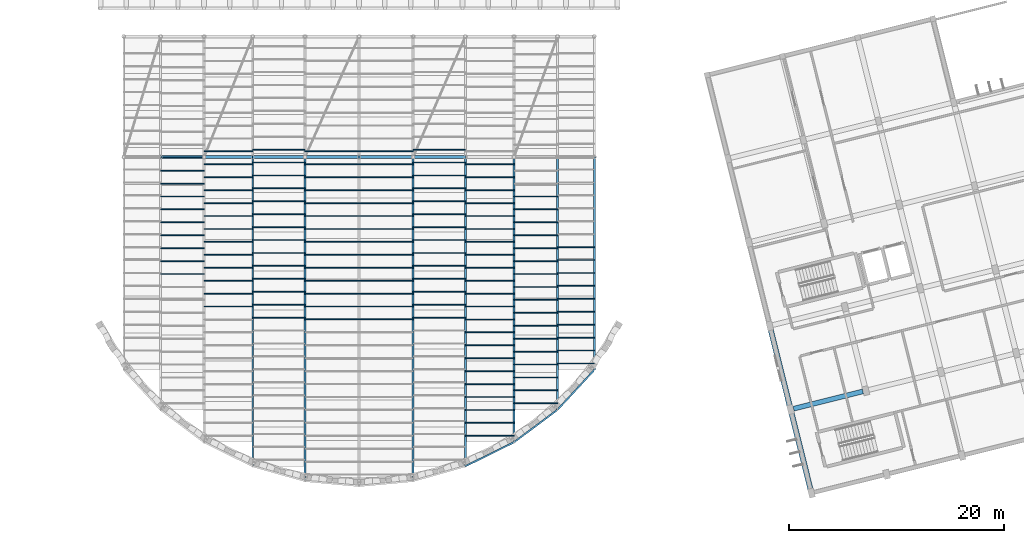
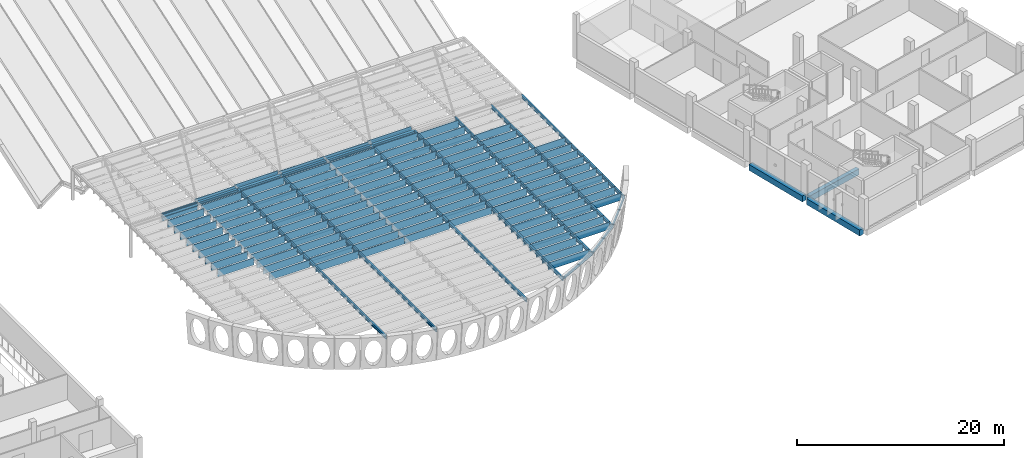
# One storey, part 14 of 47: 131 members, 16 beams.
"""IFC4 building model written with IfcOpenShell, lengths in metres."""

from ifc_helpers import new_model, si_unit, direction, frame, origin, origin_2d, place, context, subcontext, project, spatial, rectangle, hollow_rectangle, i_section, extrude, material, material_profile, profile_set, type_object, element, save


model = new_model("IFC4")

# Units and contexts
model_context = context("Model", 3, precision=1e-05, world=origin(), true_north=direction((0.0, 1.0)))
body_context = subcontext(model_context, "Body", "Model", "MODEL_VIEW")
ifc_project = project(units=[si_unit("LENGTHUNIT", "METRE"), si_unit("AREAUNIT", "SQUARE_METRE"), si_unit("VOLUMEUNIT", "CUBIC_METRE"), si_unit("PLANEANGLEUNIT", "RADIAN"), si_unit("MASSUNIT", "GRAM", prefix="KILO")], contexts=[model_context])

# Site, building, storey
site_placement = place(None, origin())
site = spatial("IfcSite", under=ifc_project, at=site_placement, CompositionType="ELEMENT")
building_placement = place(site_placement, origin())
building = spatial("IfcBuilding", under=site, at=building_placement, Name="Mawjan Specialist Oncology Clinic", CompositionType="ELEMENT")
storey_placement = place(building_placement, frame((0.0, 0.0, 9.5)))
storey = spatial("IfcBuildingStorey", under=building, at=storey_placement, Name="L02", CompositionType="ELEMENT", Elevation=9.5)

# Beam
ifc_material_1 = material(Name="Concrete C40/50", Category="concrete")
ifc_material_profile_1 = material_profile(ifc_material_1, rectangle(XDim=0.449951171875, YDim=0.699951171875, at=origin_2d()), Name="RC BM 450x700", Category="concrete")
ifc_profile_set_1 = profile_set([ifc_material_profile_1], Name="Concrete C40/50")
beam_type_1 = type_object("IfcBeamType", Name="BM-450x700", PredefinedType="BEAM", material=ifc_profile_set_1)
beam_1_placement = place(storey_placement, frame((124.341064453125, 8.63134765625, -0.64990234375), z_axis=(0.970293935913, 0.241929076241, 0.0), x_axis=(-0.241929076241, 0.970293935913, 0.0)))
element("IfcBeam", 1, at=beam_1_placement, inside=storey, type_object=beam_type_1, Name="L02 Collector Beam BM-L02-0854", PredefinedType="BEAM", context=body_context, shape_type="SweptSolid", body=[
    extrude(rectangle(XDim=0.449951171875, YDim=0.699951171875, at=origin_2d()), origin(), (0.0, 0.0, 1.0), 6.630126953125),
])

# Members
ifc_material_2 = material(Name="Structural steel S355", Category="steel")
ifc_material_profile_2 = material_profile(ifc_material_2, hollow_rectangle(XDim=0.14990234375, YDim=0.25, WallThickness=0.010009765625, at=origin_2d()), Name="RHS 250x150x10", Category="steel")
ifc_profile_set_2 = profile_set([ifc_material_profile_2], Name="Structural steel S355")
member_type_1 = type_object("IfcMemberType", Name="CH-RHS250", PredefinedType="CHORD", material=ifc_profile_set_2)
member_placement = place(storey_placement, frame((93.868896484375, 3.291015625, 3.77490234375), z_axis=(0.896884296157, 0.442265258987, 0.0), x_axis=(-0.442265258987, 0.896884296157, 0.0)))
element("IfcMember", 2, at=member_placement, inside=storey, type_object=member_type_1, Name="Canopy Edge Tie Chord MEM-CAN-CH-008", PredefinedType="CHORD", context=body_context, shape_type="SweptSolid", body=[
    extrude(hollow_rectangle(XDim=0.14990234375, YDim=0.25, WallThickness=0.010009765625, at=origin_2d()), origin(), (0.0, 0.0, 1.0), 5.039306640625),
])
for number, where, z_axis, x_axis, name in (
    (3, (98.388671875, 5.519775390625, 3.77490234375), (0.801236557809, 0.598347706965, 0.0), (-0.598347706965, 0.801236557809, 0.0), "Canopy Edge Tie Chord MEM-CAN-CH-009"),
    (4, (102.426513671875, 8.53515625, 3.77490234375), (0.678803068551, 0.734320362053, 0.0), (-0.734320362053, 0.678803068551, 0.0), "Canopy Edge Tie Chord MEM-CAN-CH-010"),
):
    element("IfcMember", number, at=place(storey_placement, frame(where, z_axis=z_axis, x_axis=x_axis)), inside=storey, type_object=member_type_1, Name=name, PredefinedType="CHORD", context=body_context, shape_type="SweptSolid", body=[
        extrude(hollow_rectangle(XDim=0.14990234375, YDim=0.25, WallThickness=0.010009765625, at=origin_2d()), origin(), (0.0, 0.0, 1.0), 5.03955078125),
    ])
ifc_material_3 = material(Name="Structural steel S355", Category="steel")
ifc_material_profile_3 = material_profile(ifc_material_3, hollow_rectangle(XDim=0.080078125, YDim=0.85009765625, WallThickness=0.006103515625, at=origin_2d()), Name="LOUVRE 850x80x6", Category="steel")
ifc_profile_set_3 = profile_set([ifc_material_profile_3], Name="Structural steel S355")
member_type_2 = type_object("IfcMemberType", Name="LV-850", PredefinedType="PURLIN", material=ifc_profile_set_3)
for number, where, z_axis, x_axis, name in (
    (5, (65.573486328125, 21.13525390625, 3.47509765625), (1.0, 0.0, 0.0), (0.0, 1.0, 0.0), "Canopy Solar Louvre Blade LV-0036"),
    (6, (65.573486328125, 22.335205078125, 3.47509765625), (1.0, 0.0, 0.0), (0.0, 1.0, 0.0), "Canopy Solar Louvre Blade LV-0037"),
    (7, (65.573486328125, 23.53515625, 3.47509765625), (1.0, 0.0, 0.0), (0.0, 1.0, 0.0), "Canopy Solar Louvre Blade LV-0038"),
    (8, (65.573486328125, 24.735107421875, 3.47509765625), (1.0, 0.0, 0.0), (0.0, 1.0, 0.0), "Canopy Solar Louvre Blade LV-0039"),
    (9, (65.573486328125, 25.935302734375, 3.47509765625), (1.0, 0.0, 0.0), (0.0, 1.0, 0.0), "Canopy Solar Louvre Blade LV-0040"),
    (10, (65.573486328125, 27.13525390625, 3.47509765625), (1.0, 0.0, 0.0), (0.0, 1.0, 0.0), "Canopy Solar Louvre Blade LV-0041"),
    (11, (65.573486328125, 28.335205078125, 3.47509765625), (1.0, 0.0, 0.0), (0.0, 1.0, 0.0), "Canopy Solar Louvre Blade LV-0042"),
    (12, (65.573486328125, 29.53515625, 3.47509765625), (1.0, 0.0, 0.0), (0.0, 1.0, 0.0), "Canopy Solar Louvre Blade LV-0043"),
    (13, (65.573486328125, 30.735107421875, 3.47509765625), (1.0, 0.0, 0.0), (0.0, 1.0, 0.0), "Canopy Solar Louvre Blade LV-0044"),
    (14, (65.573486328125, 31.935302734375, 3.47509765625), (1.0, 0.0, 0.0), (0.0, 1.0, 0.0), "Canopy Solar Louvre Blade LV-0045"),
):
    element("IfcMember", number, at=place(storey_placement, frame(where, z_axis=z_axis, x_axis=x_axis)), inside=storey, type_object=member_type_2, Name=name, PredefinedType="PURLIN", context=body_context, shape_type="SweptSolid", body=[
        extrude(hollow_rectangle(XDim=0.080078125, YDim=0.85009765625, WallThickness=0.006103515625, at=origin_2d()), origin(), (0.0, 0.0, 1.0), 4.037841796875),
    ])
for number, where, z_axis, x_axis, name in (
    (15, (69.611328125, 18.119873046875, 3.47509765625), (1.0, 0.0, 0.0), (0.0, 1.0, 0.0), "Canopy Solar Louvre Blade LV-0065"),
    (16, (69.611328125, 19.31982421875, 3.47509765625), (1.0, 0.0, 0.0), (0.0, 1.0, 0.0), "Canopy Solar Louvre Blade LV-0066"),
    (17, (69.611328125, 20.519775390625, 3.47509765625), (1.0, 0.0, 0.0), (0.0, 1.0, 0.0), "Canopy Solar Louvre Blade LV-0067"),
    (18, (69.611328125, 21.719970703125, 3.47509765625), (1.0, 0.0, 0.0), (0.0, 1.0, 0.0), "Canopy Solar Louvre Blade LV-0068"),
    (19, (69.611328125, 22.919921875, 3.47509765625), (1.0, 0.0, 0.0), (0.0, 1.0, 0.0), "Canopy Solar Louvre Blade LV-0069"),
    (20, (69.611328125, 24.119873046875, 3.47509765625), (1.0, 0.0, 0.0), (0.0, 1.0, 0.0), "Canopy Solar Louvre Blade LV-0070"),
    (21, (69.611328125, 25.31982421875, 3.47509765625), (1.0, 0.0, 0.0), (0.0, 1.0, 0.0), "Canopy Solar Louvre Blade LV-0071"),
    (22, (69.611328125, 26.519775390625, 3.47509765625), (1.0, 0.0, 0.0), (0.0, 1.0, 0.0), "Canopy Solar Louvre Blade LV-0072"),
    (23, (69.611328125, 27.719970703125, 3.47509765625), (1.0, 0.0, 0.0), (0.0, 1.0, 0.0), "Canopy Solar Louvre Blade LV-0073"),
    (24, (69.611328125, 28.919921875, 3.47509765625), (1.0, 0.0, 0.0), (0.0, 1.0, 0.0), "Canopy Solar Louvre Blade LV-0074"),
    (25, (69.611328125, 30.119873046875, 3.47509765625), (1.0, 0.0, 0.0), (0.0, 1.0, 0.0), "Canopy Solar Louvre Blade LV-0075"),
    (26, (69.611328125, 31.31982421875, 3.47509765625), (1.0, 0.0, 0.0), (0.0, 1.0, 0.0), "Canopy Solar Louvre Blade LV-0076"),
    (27, (69.611328125, 32.519775390625, 3.47509765625), (1.0, 0.0, 0.0), (0.0, 1.0, 0.0), "Canopy Solar Louvre Blade LV-0077"),
):
    element("IfcMember", number, at=place(storey_placement, frame(where, z_axis=z_axis, x_axis=x_axis)), inside=storey, type_object=member_type_2, Name=name, PredefinedType="PURLIN", context=body_context, shape_type="SweptSolid", body=[
        extrude(hollow_rectangle(XDim=0.080078125, YDim=0.85009765625, WallThickness=0.006103515625, at=origin_2d()), origin(), (0.0, 0.0, 1.0), 4.519775390625),
    ])
for number, where, z_axis, x_axis, name in (
    (28, (74.131103515625, 17.0908203125, 3.47509765625), (1.0, 0.0, 0.0), (0.0, 1.0, 0.0), "Canopy Solar Louvre Blade LV-0097"),
    (29, (74.131103515625, 18.291015625, 3.47509765625), (1.0, 0.0, 0.0), (0.0, 1.0, 0.0), "Canopy Solar Louvre Blade LV-0098"),
    (30, (74.131103515625, 19.490966796875, 3.47509765625), (1.0, 0.0, 0.0), (0.0, 1.0, 0.0), "Canopy Solar Louvre Blade LV-0099"),
    (31, (74.131103515625, 20.69091796875, 3.47509765625), (1.0, 0.0, 0.0), (0.0, 1.0, 0.0), "Canopy Solar Louvre Blade LV-0100"),
    (32, (74.131103515625, 21.890869140625, 3.47509765625), (1.0, 0.0, 0.0), (0.0, 1.0, 0.0), "Canopy Solar Louvre Blade LV-0101"),
    (33, (74.131103515625, 23.0908203125, 3.47509765625), (1.0, 0.0, 0.0), (0.0, 1.0, 0.0), "Canopy Solar Louvre Blade LV-0102"),
    (34, (74.131103515625, 24.291015625, 3.47509765625), (1.0, 0.0, 0.0), (0.0, 1.0, 0.0), "Canopy Solar Louvre Blade LV-0103"),
    (35, (74.131103515625, 25.490966796875, 3.47509765625), (1.0, 0.0, 0.0), (0.0, 1.0, 0.0), "Canopy Solar Louvre Blade LV-0104"),
    (36, (74.131103515625, 26.69091796875, 3.47509765625), (1.0, 0.0, 0.0), (0.0, 1.0, 0.0), "Canopy Solar Louvre Blade LV-0105"),
    (37, (74.131103515625, 27.890869140625, 3.47509765625), (1.0, 0.0, 0.0), (0.0, 1.0, 0.0), "Canopy Solar Louvre Blade LV-0106"),
    (38, (74.131103515625, 29.0908203125, 3.47509765625), (1.0, 0.0, 0.0), (0.0, 1.0, 0.0), "Canopy Solar Louvre Blade LV-0107"),
    (39, (74.131103515625, 30.291015625, 3.47509765625), (1.0, 0.0, 0.0), (0.0, 1.0, 0.0), "Canopy Solar Louvre Blade LV-0108"),
    (40, (74.131103515625, 31.490966796875, 3.47509765625), (1.0, 0.0, 0.0), (0.0, 1.0, 0.0), "Canopy Solar Louvre Blade LV-0109"),
    (41, (74.131103515625, 32.69091796875, 3.47509765625), (1.0, 0.0, 0.0), (0.0, 1.0, 0.0), "Canopy Solar Louvre Blade LV-0110"),
):
    element("IfcMember", number, at=place(storey_placement, frame(where, z_axis=z_axis, x_axis=x_axis)), inside=storey, type_object=member_type_2, Name=name, PredefinedType="PURLIN", context=body_context, shape_type="SweptSolid", body=[
        extrude(hollow_rectangle(XDim=0.080078125, YDim=0.85009765625, WallThickness=0.006103515625, at=origin_2d()), origin(), (0.0, 0.0, 1.0), 4.8505859375),
    ])
for number, where, z_axis, x_axis, name in (
    (42, (78.981689453125, 16.923095703125, 3.47509765625), (1.0, 0.0, 0.0), (0.0, 1.0, 0.0), "Canopy Solar Louvre Blade LV-0131"),
    (43, (78.981689453125, 18.123046875, 3.47509765625), (1.0, 0.0, 0.0), (0.0, 1.0, 0.0), "Canopy Solar Louvre Blade LV-0132"),
    (44, (78.981689453125, 19.322998046875, 3.47509765625), (1.0, 0.0, 0.0), (0.0, 1.0, 0.0), "Canopy Solar Louvre Blade LV-0133"),
    (45, (78.981689453125, 20.52294921875, 3.47509765625), (1.0, 0.0, 0.0), (0.0, 1.0, 0.0), "Canopy Solar Louvre Blade LV-0134"),
    (46, (78.981689453125, 21.722900390625, 3.47509765625), (1.0, 0.0, 0.0), (0.0, 1.0, 0.0), "Canopy Solar Louvre Blade LV-0135"),
    (47, (78.981689453125, 22.923095703125, 3.47509765625), (1.0, 0.0, 0.0), (0.0, 1.0, 0.0), "Canopy Solar Louvre Blade LV-0136"),
    (48, (78.981689453125, 24.123046875, 3.47509765625), (1.0, 0.0, 0.0), (0.0, 1.0, 0.0), "Canopy Solar Louvre Blade LV-0137"),
    (49, (78.981689453125, 25.322998046875, 3.47509765625), (1.0, 0.0, 0.0), (0.0, 1.0, 0.0), "Canopy Solar Louvre Blade LV-0138"),
    (50, (78.981689453125, 26.52294921875, 3.47509765625), (1.0, 0.0, 0.0), (0.0, 1.0, 0.0), "Canopy Solar Louvre Blade LV-0139"),
    (51, (78.981689453125, 27.722900390625, 3.47509765625), (1.0, 0.0, 0.0), (0.0, 1.0, 0.0), "Canopy Solar Louvre Blade LV-0140"),
    (52, (78.981689453125, 28.923095703125, 3.47509765625), (1.0, 0.0, 0.0), (0.0, 1.0, 0.0), "Canopy Solar Louvre Blade LV-0141"),
    (53, (78.981689453125, 30.123046875, 3.47509765625), (1.0, 0.0, 0.0), (0.0, 1.0, 0.0), "Canopy Solar Louvre Blade LV-0142"),
    (54, (78.981689453125, 31.322998046875, 3.47509765625), (1.0, 0.0, 0.0), (0.0, 1.0, 0.0), "Canopy Solar Louvre Blade LV-0143"),
    (55, (78.981689453125, 32.52294921875, 3.47509765625), (1.0, 0.0, 0.0), (0.0, 1.0, 0.0), "Canopy Solar Louvre Blade LV-0144"),
    (56, (84.0, 16.923095703125, 3.47509765625), (1.0, 0.0, 0.0), (0.0, 1.0, 0.0), "Canopy Solar Louvre Blade LV-0165"),
    (57, (84.0, 18.123046875, 3.47509765625), (1.0, 0.0, 0.0), (0.0, 1.0, 0.0), "Canopy Solar Louvre Blade LV-0166"),
    (58, (84.0, 19.322998046875, 3.47509765625), (1.0, 0.0, 0.0), (0.0, 1.0, 0.0), "Canopy Solar Louvre Blade LV-0167"),
    (59, (84.0, 20.52294921875, 3.47509765625), (1.0, 0.0, 0.0), (0.0, 1.0, 0.0), "Canopy Solar Louvre Blade LV-0168"),
    (60, (84.0, 21.722900390625, 3.47509765625), (1.0, 0.0, 0.0), (0.0, 1.0, 0.0), "Canopy Solar Louvre Blade LV-0169"),
    (61, (84.0, 22.923095703125, 3.47509765625), (1.0, 0.0, 0.0), (0.0, 1.0, 0.0), "Canopy Solar Louvre Blade LV-0170"),
    (62, (84.0, 24.123046875, 3.47509765625), (1.0, 0.0, 0.0), (0.0, 1.0, 0.0), "Canopy Solar Louvre Blade LV-0171"),
    (63, (84.0, 25.322998046875, 3.47509765625), (1.0, 0.0, 0.0), (0.0, 1.0, 0.0), "Canopy Solar Louvre Blade LV-0172"),
    (64, (84.0, 26.52294921875, 3.47509765625), (1.0, 0.0, 0.0), (0.0, 1.0, 0.0), "Canopy Solar Louvre Blade LV-0173"),
    (65, (84.0, 27.722900390625, 3.47509765625), (1.0, 0.0, 0.0), (0.0, 1.0, 0.0), "Canopy Solar Louvre Blade LV-0174"),
    (66, (84.0, 28.923095703125, 3.47509765625), (1.0, 0.0, 0.0), (0.0, 1.0, 0.0), "Canopy Solar Louvre Blade LV-0175"),
    (67, (84.0, 30.123046875, 3.47509765625), (1.0, 0.0, 0.0), (0.0, 1.0, 0.0), "Canopy Solar Louvre Blade LV-0176"),
    (68, (84.0, 31.322998046875, 3.47509765625), (1.0, 0.0, 0.0), (0.0, 1.0, 0.0), "Canopy Solar Louvre Blade LV-0177"),
    (69, (84.0, 32.52294921875, 3.47509765625), (1.0, 0.0, 0.0), (0.0, 1.0, 0.0), "Canopy Solar Louvre Blade LV-0178"),
):
    element("IfcMember", number, at=place(storey_placement, frame(where, z_axis=z_axis, x_axis=x_axis)), inside=storey, type_object=member_type_2, Name=name, PredefinedType="PURLIN", context=body_context, shape_type="SweptSolid", body=[
        extrude(hollow_rectangle(XDim=0.080078125, YDim=0.85009765625, WallThickness=0.006103515625, at=origin_2d()), origin(), (0.0, 0.0, 1.0), 5.018310546875),
    ])
for number, where, z_axis, x_axis, name in (
    (70, (89.018310546875, 17.0908203125, 3.47509765625), (1.0, 0.0, 0.0), (0.0, 1.0, 0.0), "Canopy Solar Louvre Blade LV-0198"),
    (71, (89.018310546875, 18.291015625, 3.47509765625), (1.0, 0.0, 0.0), (0.0, 1.0, 0.0), "Canopy Solar Louvre Blade LV-0199"),
    (72, (89.018310546875, 19.490966796875, 3.47509765625), (1.0, 0.0, 0.0), (0.0, 1.0, 0.0), "Canopy Solar Louvre Blade LV-0200"),
    (73, (89.018310546875, 20.69091796875, 3.47509765625), (1.0, 0.0, 0.0), (0.0, 1.0, 0.0), "Canopy Solar Louvre Blade LV-0201"),
    (74, (89.018310546875, 21.890869140625, 3.47509765625), (1.0, 0.0, 0.0), (0.0, 1.0, 0.0), "Canopy Solar Louvre Blade LV-0202"),
    (75, (89.018310546875, 23.0908203125, 3.47509765625), (1.0, 0.0, 0.0), (0.0, 1.0, 0.0), "Canopy Solar Louvre Blade LV-0203"),
    (76, (89.018310546875, 24.291015625, 3.47509765625), (1.0, 0.0, 0.0), (0.0, 1.0, 0.0), "Canopy Solar Louvre Blade LV-0204"),
    (77, (89.018310546875, 25.490966796875, 3.47509765625), (1.0, 0.0, 0.0), (0.0, 1.0, 0.0), "Canopy Solar Louvre Blade LV-0205"),
    (78, (89.018310546875, 26.69091796875, 3.47509765625), (1.0, 0.0, 0.0), (0.0, 1.0, 0.0), "Canopy Solar Louvre Blade LV-0206"),
    (79, (89.018310546875, 27.890869140625, 3.47509765625), (1.0, 0.0, 0.0), (0.0, 1.0, 0.0), "Canopy Solar Louvre Blade LV-0207"),
    (80, (89.018310546875, 29.0908203125, 3.47509765625), (1.0, 0.0, 0.0), (0.0, 1.0, 0.0), "Canopy Solar Louvre Blade LV-0208"),
    (81, (89.018310546875, 30.291015625, 3.47509765625), (1.0, 0.0, 0.0), (0.0, 1.0, 0.0), "Canopy Solar Louvre Blade LV-0209"),
    (82, (89.018310546875, 31.490966796875, 3.47509765625), (1.0, 0.0, 0.0), (0.0, 1.0, 0.0), "Canopy Solar Louvre Blade LV-0210"),
    (83, (89.018310546875, 32.69091796875, 3.47509765625), (1.0, 0.0, 0.0), (0.0, 1.0, 0.0), "Canopy Solar Louvre Blade LV-0211"),
):
    element("IfcMember", number, at=place(storey_placement, frame(where, z_axis=z_axis, x_axis=x_axis)), inside=storey, type_object=member_type_2, Name=name, PredefinedType="PURLIN", context=body_context, shape_type="SweptSolid", body=[
        extrude(hollow_rectangle(XDim=0.080078125, YDim=0.85009765625, WallThickness=0.006103515625, at=origin_2d()), origin(), (0.0, 0.0, 1.0), 4.8505859375),
    ])
for number, where, z_axis, x_axis, name in (
    (84, (93.868896484375, 6.119873046875, 3.47509765625), (1.0, 0.0, 0.0), (0.0, 1.0, 0.0), "Canopy Solar Louvre Blade LV-0220"),
    (85, (93.868896484375, 7.31982421875, 3.47509765625), (1.0, 0.0, 0.0), (0.0, 1.0, 0.0), "Canopy Solar Louvre Blade LV-0221"),
    (86, (93.868896484375, 8.519775390625, 3.47509765625), (1.0, 0.0, 0.0), (0.0, 1.0, 0.0), "Canopy Solar Louvre Blade LV-0222"),
    (87, (93.868896484375, 9.719970703125, 3.47509765625), (1.0, 0.0, 0.0), (0.0, 1.0, 0.0), "Canopy Solar Louvre Blade LV-0223"),
    (88, (93.868896484375, 10.919921875, 3.47509765625), (1.0, 0.0, 0.0), (0.0, 1.0, 0.0), "Canopy Solar Louvre Blade LV-0224"),
    (89, (93.868896484375, 12.119873046875, 3.47509765625), (1.0, 0.0, 0.0), (0.0, 1.0, 0.0), "Canopy Solar Louvre Blade LV-0225"),
    (90, (93.868896484375, 13.31982421875, 3.47509765625), (1.0, 0.0, 0.0), (0.0, 1.0, 0.0), "Canopy Solar Louvre Blade LV-0226"),
    (91, (93.868896484375, 14.519775390625, 3.47509765625), (1.0, 0.0, 0.0), (0.0, 1.0, 0.0), "Canopy Solar Louvre Blade LV-0227"),
    (92, (93.868896484375, 15.719970703125, 3.47509765625), (1.0, 0.0, 0.0), (0.0, 1.0, 0.0), "Canopy Solar Louvre Blade LV-0228"),
    (93, (93.868896484375, 16.919921875, 3.47509765625), (1.0, 0.0, 0.0), (0.0, 1.0, 0.0), "Canopy Solar Louvre Blade LV-0229"),
    (94, (93.868896484375, 18.119873046875, 3.47509765625), (1.0, 0.0, 0.0), (0.0, 1.0, 0.0), "Canopy Solar Louvre Blade LV-0230"),
    (95, (93.868896484375, 19.31982421875, 3.47509765625), (1.0, 0.0, 0.0), (0.0, 1.0, 0.0), "Canopy Solar Louvre Blade LV-0231"),
    (96, (93.868896484375, 20.519775390625, 3.47509765625), (1.0, 0.0, 0.0), (0.0, 1.0, 0.0), "Canopy Solar Louvre Blade LV-0232"),
    (97, (93.868896484375, 21.719970703125, 3.47509765625), (1.0, 0.0, 0.0), (0.0, 1.0, 0.0), "Canopy Solar Louvre Blade LV-0233"),
    (98, (93.868896484375, 22.919921875, 3.47509765625), (1.0, 0.0, 0.0), (0.0, 1.0, 0.0), "Canopy Solar Louvre Blade LV-0234"),
    (99, (93.868896484375, 24.119873046875, 3.47509765625), (1.0, 0.0, 0.0), (0.0, 1.0, 0.0), "Canopy Solar Louvre Blade LV-0235"),
    (100, (93.868896484375, 25.31982421875, 3.47509765625), (1.0, 0.0, 0.0), (0.0, 1.0, 0.0), "Canopy Solar Louvre Blade LV-0236"),
    (101, (93.868896484375, 26.519775390625, 3.47509765625), (1.0, 0.0, 0.0), (0.0, 1.0, 0.0), "Canopy Solar Louvre Blade LV-0237"),
    (102, (93.868896484375, 27.719970703125, 3.47509765625), (1.0, 0.0, 0.0), (0.0, 1.0, 0.0), "Canopy Solar Louvre Blade LV-0238"),
    (103, (93.868896484375, 28.919921875, 3.47509765625), (1.0, 0.0, 0.0), (0.0, 1.0, 0.0), "Canopy Solar Louvre Blade LV-0239"),
    (104, (93.868896484375, 30.119873046875, 3.47509765625), (1.0, 0.0, 0.0), (0.0, 1.0, 0.0), "Canopy Solar Louvre Blade LV-0240"),
    (105, (93.868896484375, 31.31982421875, 3.47509765625), (1.0, 0.0, 0.0), (0.0, 1.0, 0.0), "Canopy Solar Louvre Blade LV-0241"),
):
    element("IfcMember", number, at=place(storey_placement, frame(where, z_axis=z_axis, x_axis=x_axis)), inside=storey, type_object=member_type_2, Name=name, PredefinedType="PURLIN", context=body_context, shape_type="SweptSolid", body=[
        extrude(hollow_rectangle(XDim=0.080078125, YDim=0.85009765625, WallThickness=0.006103515625, at=origin_2d()), origin(), (0.0, 0.0, 1.0), 4.519775390625),
    ])
for number, where, z_axis, x_axis, name in (
    (106, (98.388671875, 9.13525390625, 3.47509765625), (1.0, 0.0, 0.0), (0.0, 1.0, 0.0), "Canopy Solar Louvre Blade LV-0251"),
    (107, (98.388671875, 10.335205078125, 3.47509765625), (1.0, 0.0, 0.0), (0.0, 1.0, 0.0), "Canopy Solar Louvre Blade LV-0252"),
    (108, (98.388671875, 11.53515625, 3.47509765625), (1.0, 0.0, 0.0), (0.0, 1.0, 0.0), "Canopy Solar Louvre Blade LV-0253"),
    (109, (98.388671875, 12.735107421875, 3.47509765625), (1.0, 0.0, 0.0), (0.0, 1.0, 0.0), "Canopy Solar Louvre Blade LV-0254"),
    (110, (98.388671875, 13.935302734375, 3.47509765625), (1.0, 0.0, 0.0), (0.0, 1.0, 0.0), "Canopy Solar Louvre Blade LV-0255"),
    (111, (98.388671875, 15.13525390625, 3.47509765625), (1.0, 0.0, 0.0), (0.0, 1.0, 0.0), "Canopy Solar Louvre Blade LV-0256"),
    (112, (98.388671875, 16.335205078125, 3.47509765625), (1.0, 0.0, 0.0), (0.0, 1.0, 0.0), "Canopy Solar Louvre Blade LV-0257"),
    (113, (98.388671875, 17.53515625, 3.47509765625), (1.0, 0.0, 0.0), (0.0, 1.0, 0.0), "Canopy Solar Louvre Blade LV-0258"),
    (114, (98.388671875, 18.735107421875, 3.47509765625), (1.0, 0.0, 0.0), (0.0, 1.0, 0.0), "Canopy Solar Louvre Blade LV-0259"),
    (115, (98.388671875, 19.935302734375, 3.47509765625), (1.0, 0.0, 0.0), (0.0, 1.0, 0.0), "Canopy Solar Louvre Blade LV-0260"),
    (116, (98.388671875, 21.13525390625, 3.47509765625), (1.0, 0.0, 0.0), (0.0, 1.0, 0.0), "Canopy Solar Louvre Blade LV-0261"),
    (117, (98.388671875, 22.335205078125, 3.47509765625), (1.0, 0.0, 0.0), (0.0, 1.0, 0.0), "Canopy Solar Louvre Blade LV-0262"),
    (118, (98.388671875, 23.53515625, 3.47509765625), (1.0, 0.0, 0.0), (0.0, 1.0, 0.0), "Canopy Solar Louvre Blade LV-0263"),
    (119, (98.388671875, 24.735107421875, 3.47509765625), (1.0, 0.0, 0.0), (0.0, 1.0, 0.0), "Canopy Solar Louvre Blade LV-0264"),
    (120, (98.388671875, 25.935302734375, 3.47509765625), (1.0, 0.0, 0.0), (0.0, 1.0, 0.0), "Canopy Solar Louvre Blade LV-0265"),
    (121, (98.388671875, 27.13525390625, 3.47509765625), (1.0, 0.0, 0.0), (0.0, 1.0, 0.0), "Canopy Solar Louvre Blade LV-0266"),
    (122, (98.388671875, 28.335205078125, 3.47509765625), (1.0, 0.0, 0.0), (0.0, 1.0, 0.0), "Canopy Solar Louvre Blade LV-0267"),
):
    element("IfcMember", number, at=place(storey_placement, frame(where, z_axis=z_axis, x_axis=x_axis)), inside=storey, type_object=member_type_2, Name=name, PredefinedType="PURLIN", context=body_context, shape_type="SweptSolid", body=[
        extrude(hollow_rectangle(XDim=0.080078125, YDim=0.85009765625, WallThickness=0.006103515625, at=origin_2d()), origin(), (0.0, 0.0, 1.0), 4.037841796875),
    ])
for number, where, z_axis, x_axis, name in (
    (123, (102.426513671875, 12.8359375, 3.47509765625), (1.0, 0.0, 0.0), (0.0, 1.0, 0.0), "Canopy Solar Louvre Blade LV-0280"),
    (124, (102.426513671875, 14.035888671875, 3.47509765625), (1.0, 0.0, 0.0), (0.0, 1.0, 0.0), "Canopy Solar Louvre Blade LV-0281"),
    (125, (102.426513671875, 15.23583984375, 3.47509765625), (1.0, 0.0, 0.0), (0.0, 1.0, 0.0), "Canopy Solar Louvre Blade LV-0282"),
    (126, (102.426513671875, 16.435791015625, 3.47509765625), (1.0, 0.0, 0.0), (0.0, 1.0, 0.0), "Canopy Solar Louvre Blade LV-0283"),
    (127, (102.426513671875, 17.6357421875, 3.47509765625), (1.0, 0.0, 0.0), (0.0, 1.0, 0.0), "Canopy Solar Louvre Blade LV-0284"),
    (128, (102.426513671875, 18.8359375, 3.47509765625), (1.0, 0.0, 0.0), (0.0, 1.0, 0.0), "Canopy Solar Louvre Blade LV-0285"),
    (129, (102.426513671875, 20.035888671875, 3.47509765625), (1.0, 0.0, 0.0), (0.0, 1.0, 0.0), "Canopy Solar Louvre Blade LV-0286"),
    (130, (102.426513671875, 21.23583984375, 3.47509765625), (1.0, 0.0, 0.0), (0.0, 1.0, 0.0), "Canopy Solar Louvre Blade LV-0287"),
    (131, (102.426513671875, 22.435791015625, 3.47509765625), (1.0, 0.0, 0.0), (0.0, 1.0, 0.0), "Canopy Solar Louvre Blade LV-0288"),
    (132, (102.426513671875, 23.6357421875, 3.47509765625), (1.0, 0.0, 0.0), (0.0, 1.0, 0.0), "Canopy Solar Louvre Blade LV-0289"),
):
    element("IfcMember", number, at=place(storey_placement, frame(where, z_axis=z_axis, x_axis=x_axis)), inside=storey, type_object=member_type_2, Name=name, PredefinedType="PURLIN", context=body_context, shape_type="SweptSolid", body=[
        extrude(hollow_rectangle(XDim=0.080078125, YDim=0.85009765625, WallThickness=0.006103515625, at=origin_2d()), origin(), (0.0, 0.0, 1.0), 3.4208984375),
    ])

# Beams
ifc_material_4 = material(Name="Structural steel S355", Category="steel")
ifc_material_profile_4 = material_profile(ifc_material_4, i_section(OverallWidth=0.300048828125, OverallDepth=0.35009765625, WebThickness=0.010009765625, FlangeThickness=0.017578125, FilletRadius=0.027099609375, at=origin_2d()), Name="HEA 360", Category="steel")
ifc_profile_set_4 = profile_set([ifc_material_profile_4], Name="Structural steel S355")
beam_type_2 = type_object("IfcBeamType", Name="SB-HEA360", PredefinedType="BEAM", material=ifc_profile_set_4)
beam_2_placement = place(storey_placement, frame((65.573486328125, 32.0, 3.699951171875), z_axis=(1.0, 0.0, 0.0), x_axis=(0.0, 1.0, 0.0)))
element("IfcBeam", 133, at=beam_2_placement, inside=storey, type_object=beam_type_2, Name="Courtyard Canopy Spine Girder 65", PredefinedType="BEAM", context=body_context, shape_type="SweptSolid", body=[
    extrude(i_section(OverallWidth=0.300048828125, OverallDepth=0.35009765625, WebThickness=0.010009765625, FlangeThickness=0.017578125, FilletRadius=0.027099609375, at=origin_2d()), origin(), (0.0, 0.0, 1.0), 4.037841796875),
])
beam_3_placement = place(storey_placement, frame((69.611328125, 32.0, 3.699951171875), z_axis=(1.0, 0.0, 0.0), x_axis=(0.0, 1.0, 0.0)))
element("IfcBeam", 134, at=beam_3_placement, inside=storey, type_object=beam_type_2, Name="Courtyard Canopy Spine Girder 69", PredefinedType="BEAM", context=body_context, shape_type="SweptSolid", body=[
    extrude(i_section(OverallWidth=0.300048828125, OverallDepth=0.35009765625, WebThickness=0.010009765625, FlangeThickness=0.017578125, FilletRadius=0.027099609375, at=origin_2d()), origin(), (0.0, 0.0, 1.0), 4.519775390625),
])
beam_4_placement = place(storey_placement, frame((74.131103515625, 32.0, 3.699951171875), z_axis=(1.0, 0.0, 0.0), x_axis=(0.0, 1.0, 0.0)))
element("IfcBeam", 135, at=beam_4_placement, inside=storey, type_object=beam_type_2, Name="Courtyard Canopy Spine Girder 74", PredefinedType="BEAM", context=body_context, shape_type="SweptSolid", body=[
    extrude(i_section(OverallWidth=0.300048828125, OverallDepth=0.35009765625, WebThickness=0.010009765625, FlangeThickness=0.017578125, FilletRadius=0.027099609375, at=origin_2d()), origin(), (0.0, 0.0, 1.0), 4.8505859375),
])
for number, where, z_axis, x_axis, name in (
    (136, (78.981689453125, 32.0, 3.699951171875), (1.0, 0.0, 0.0), (0.0, 1.0, 0.0), "Courtyard Canopy Spine Girder 78"),
    (137, (84.0, 32.0, 3.699951171875), (1.0, 0.0, 0.0), (0.0, 1.0, 0.0), "Courtyard Canopy Spine Girder 84"),
):
    element("IfcBeam", number, at=place(storey_placement, frame(where, z_axis=z_axis, x_axis=x_axis)), inside=storey, type_object=beam_type_2, Name=name, PredefinedType="BEAM", context=body_context, shape_type="SweptSolid", body=[
        extrude(i_section(OverallWidth=0.300048828125, OverallDepth=0.35009765625, WebThickness=0.010009765625, FlangeThickness=0.017578125, FilletRadius=0.027099609375, at=origin_2d()), origin(), (0.0, 0.0, 1.0), 5.018310546875),
    ])
beam_5_placement = place(storey_placement, frame((89.018310546875, 32.0, 3.699951171875), z_axis=(1.0, 0.0, 0.0), x_axis=(0.0, 1.0, 0.0)))
element("IfcBeam", 138, at=beam_5_placement, inside=storey, type_object=beam_type_2, Name="Courtyard Canopy Spine Girder 89", PredefinedType="BEAM", context=body_context, shape_type="SweptSolid", body=[
    extrude(i_section(OverallWidth=0.300048828125, OverallDepth=0.35009765625, WebThickness=0.010009765625, FlangeThickness=0.017578125, FilletRadius=0.027099609375, at=origin_2d()), origin(), (0.0, 0.0, 1.0), 4.8505859375),
])
ifc_material_5 = material(Name="Structural steel S355", Category="steel")
ifc_material_profile_5 = material_profile(ifc_material_5, i_section(OverallWidth=0.179931640625, OverallDepth=0.39990234375, WebThickness=0.008544921875, FlangeThickness=0.013427734375, FilletRadius=0.02099609375, at=origin_2d()), Name="IPE 400", Category="steel")
ifc_profile_set_5 = profile_set([ifc_material_profile_5], Name="Structural steel S355")
beam_type_3 = type_object("IfcBeamType", Name="SB-IPE400", PredefinedType="BEAM", material=ifc_profile_set_5)
beam_6_placement = place(storey_placement, frame((74.131103515625, 3.291015625, 3.699951171875), z_axis=(0.0, 1.0, 0.0), x_axis=(-1.0, 0.0, 0.0)))
element("IfcBeam", 139, at=beam_6_placement, inside=storey, type_object=beam_type_3, Name="Courtyard Canopy South Rafter CRS-04", PredefinedType="BEAM", context=body_context, shape_type="SweptSolid", body=[
    extrude(i_section(OverallWidth=0.179931640625, OverallDepth=0.39990234375, WebThickness=0.008544921875, FlangeThickness=0.013427734375, FilletRadius=0.02099609375, at=origin_2d()), origin(), (0.0, 0.0, 1.0), 28.708984375),
])
for number, where, z_axis, x_axis, name in (
    (140, (78.981689453125, 1.923095703125, 3.699951171875), (0.0, 1.0, 0.0), (-1.0, 0.0, 0.0), "Courtyard Canopy South Rafter CRS-05"),
    (141, (89.018310546875, 1.923095703125, 3.699951171875), (0.0, 1.0, 0.0), (-1.0, 0.0, 0.0), "Courtyard Canopy South Rafter CRS-07"),
):
    element("IfcBeam", number, at=place(storey_placement, frame(where, z_axis=z_axis, x_axis=x_axis)), inside=storey, type_object=beam_type_3, Name=name, PredefinedType="BEAM", context=body_context, shape_type="SweptSolid", body=[
        extrude(i_section(OverallWidth=0.179931640625, OverallDepth=0.39990234375, WebThickness=0.008544921875, FlangeThickness=0.013427734375, FilletRadius=0.02099609375, at=origin_2d()), origin(), (0.0, 0.0, 1.0), 30.076904296875),
    ])
beam_7_placement = place(storey_placement, frame((93.868896484375, 3.291015625, 3.699951171875), z_axis=(0.0, 1.0, 0.0), x_axis=(-1.0, 0.0, 0.0)))
element("IfcBeam", 142, at=beam_7_placement, inside=storey, type_object=beam_type_3, Name="Courtyard Canopy South Rafter CRS-08", PredefinedType="BEAM", context=body_context, shape_type="SweptSolid", body=[
    extrude(i_section(OverallWidth=0.179931640625, OverallDepth=0.39990234375, WebThickness=0.008544921875, FlangeThickness=0.013427734375, FilletRadius=0.02099609375, at=origin_2d()), origin(), (0.0, 0.0, 1.0), 28.708984375),
])
beam_8_placement = place(storey_placement, frame((98.388671875, 5.519775390625, 3.699951171875), z_axis=(0.0, 1.0, 0.0), x_axis=(-1.0, 0.0, 0.0)))
element("IfcBeam", 143, at=beam_8_placement, inside=storey, type_object=beam_type_3, Name="Courtyard Canopy South Rafter CRS-09", PredefinedType="BEAM", context=body_context, shape_type="SweptSolid", body=[
    extrude(i_section(OverallWidth=0.179931640625, OverallDepth=0.39990234375, WebThickness=0.008544921875, FlangeThickness=0.013427734375, FilletRadius=0.02099609375, at=origin_2d()), origin(), (0.0, 0.0, 1.0), 26.480224609375),
])
beam_9_placement = place(storey_placement, frame((102.426513671875, 8.53515625, 3.699951171875), z_axis=(0.0, 1.0, 0.0), x_axis=(-1.0, 0.0, 0.0)))
element("IfcBeam", 144, at=beam_9_placement, inside=storey, type_object=beam_type_3, Name="Courtyard Canopy South Rafter CRS-10", PredefinedType="BEAM", context=body_context, shape_type="SweptSolid", body=[
    extrude(i_section(OverallWidth=0.179931640625, OverallDepth=0.39990234375, WebThickness=0.008544921875, FlangeThickness=0.013427734375, FilletRadius=0.02099609375, at=origin_2d()), origin(), (0.0, 0.0, 1.0), 23.46484375),
])
beam_10_placement = place(storey_placement, frame((105.847412109375, 12.23583984375, 3.699951171875), z_axis=(0.0, 1.0, 0.0), x_axis=(-1.0, 0.0, 0.0)))
element("IfcBeam", 145, at=beam_10_placement, inside=storey, type_object=beam_type_3, Name="Courtyard Canopy South Rafter CRS-11", PredefinedType="BEAM", context=body_context, shape_type="SweptSolid", body=[
    extrude(i_section(OverallWidth=0.179931640625, OverallDepth=0.39990234375, WebThickness=0.008544921875, FlangeThickness=0.013427734375, FilletRadius=0.02099609375, at=origin_2d()), origin(), (0.0, 0.0, 1.0), 19.76416015625),
])
ifc_material_6 = material(Name="Concrete C45/55", Category="concrete")
ifc_material_profile_6 = material_profile(ifc_material_6, rectangle(XDim=0.5, YDim=0.699951171875, at=origin_2d()), Name="RC BM 500x700", Category="concrete")
ifc_profile_set_6 = profile_set([ifc_material_profile_6], Name="Concrete C45/55")
beam_type_4 = type_object("IfcBeamType", Name="SP-500x700", PredefinedType="SPANDREL", material=ifc_profile_set_6)
beam_11_placement = place(storey_placement, frame((125.93115234375, 1.076416015625, -0.64990234375), z_axis=(-0.241932539519, 0.970293072387, 0.0), x_axis=(-0.970293072387, -0.241932539519, 0.0)))
element("IfcBeam", 146, at=beam_11_placement, inside=storey, type_object=beam_type_4, Name="L02 Spandrel Beam BM-L02-0873", PredefinedType="SPANDREL", context=body_context, shape_type="SweptSolid", body=[
    extrude(rectangle(XDim=0.5, YDim=0.699951171875, at=origin_2d()), origin(), (0.0, 0.0, 1.0), 7.43017578125),
])
beam_12_placement = place(storey_placement, frame((123.99560546875, 8.8388671875, -0.64990234375), z_axis=(-0.241909317102, 0.970298862361, 0.0), x_axis=(-0.970298862361, -0.241909317102, 0.0)))
element("IfcBeam", 147, at=beam_12_placement, inside=storey, type_object=beam_type_4, Name="L02 Spandrel Beam BM-L02-0874", PredefinedType="SPANDREL", context=body_context, shape_type="SweptSolid", body=[
    extrude(rectangle(XDim=0.5, YDim=0.699951171875, at=origin_2d()), origin(), (0.0, 0.0, 1.0), 7.429931640625),
])

save(model, "model.ifc")
